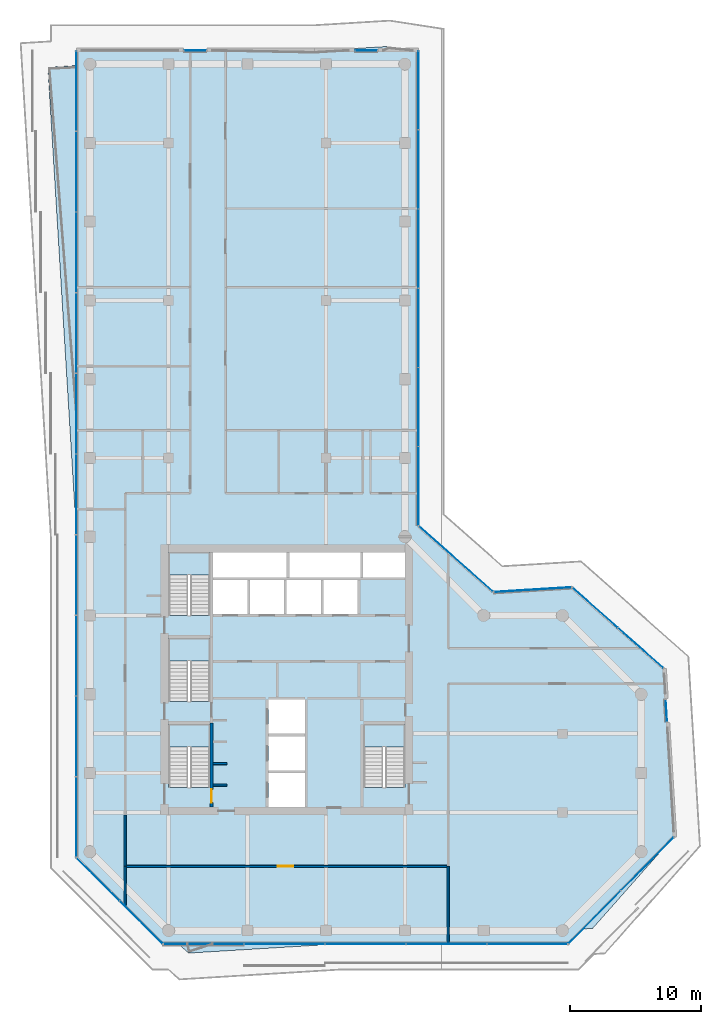
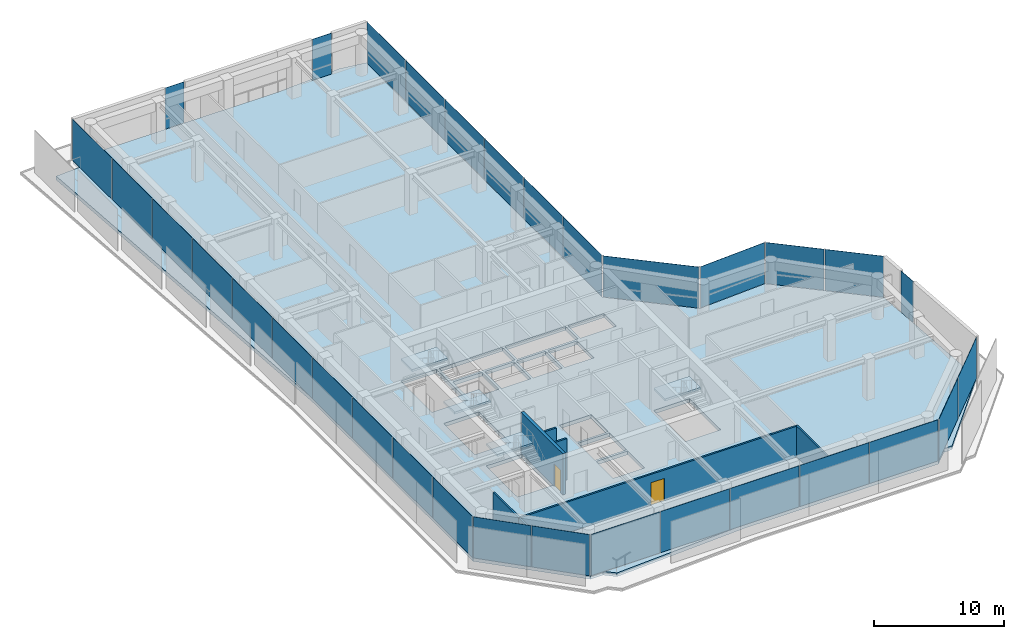
# One storey, part 16 of 21: 32 plates, 7 walls, 5 slabs, 2 doors, 2 openings, 15 elements without a shape of their own.
"""IFC4 building model written with IfcOpenShell, lengths in metres."""

from ifc_helpers import new_model, si_unit, direction, frame, frame_2d, origin, origin_2d, place, context, subcontext, project, spatial, polyline, rectangle, outline, extrude, material, layer, layer_set, type_object, element, fill, aggregate, save


model = new_model("IFC4")

# Units and contexts
model_context = context("Model", 3, precision=1e-05, world=origin(), true_north=direction((0.0, 1.0)))
body_context = subcontext(model_context, "Body", "Model", "MODEL_VIEW")
ifc_project = project(units=[si_unit("LENGTHUNIT", "METRE"), si_unit("AREAUNIT", "SQUARE_METRE"), si_unit("VOLUMEUNIT", "CUBIC_METRE"), si_unit("PLANEANGLEUNIT", "RADIAN"), si_unit("MASSUNIT", "GRAM", prefix="KILO")], contexts=[model_context])

# Site, building, storey
site_placement = place(None, origin())
site = spatial("IfcSite", under=ifc_project, at=site_placement, CompositionType="ELEMENT")
building_placement = place(site_placement, origin())
building = spatial("IfcBuilding", under=site, at=building_placement, Name="Welwitschia Terrace Campus", CompositionType="ELEMENT")
storey_placement = place(building_placement, frame((0.0, 0.0, 184.39990234375)))
storey = spatial("IfcBuildingStorey", under=building, at=storey_placement, Name="L41", CompositionType="ELEMENT", Elevation=184.39990234375)

# Curtain wall, plates
ifc_material_1 = material(Name="Bronze anodised aluminium", Category="aluminium")
ifc_layer_1 = layer(ifc_material_1, 0.1201171875)
ifc_layer_set_1 = layer_set([ifc_layer_1], Name="Bronze anodised aluminium")
curtain_wall_type = type_object("IfcCurtainWallType", Name="Curtain wall CW2 tower 6000", PredefinedType="NOTDEFINED", material=ifc_layer_set_1)
curtain_wall_1_placement = place(storey_placement, origin())
curtain_wall_1 = element("IfcCurtainWall", 1, at=curtain_wall_1_placement, inside=storey, type_object=curtain_wall_type, Name="CW L41.0.0", PredefinedType="NOTDEFINED")
ifc_material_2 = material(Name="Tinted bronze-grey glass", Category="glass")
ifc_layer_2 = layer(ifc_material_2, 0.028076171875)
ifc_layer_set_2 = layer_set([ifc_layer_2], Name="Tinted bronze-grey glass")
plate_type = type_object("IfcPlateType", Name="Glass panel 28 tinted", PredefinedType="CURTAIN_PANEL", material=ifc_layer_set_2)
plate_1_placement = place(storey_placement, frame((0.63134765625, -0.088134765625, 0.0), z_axis=(0.0, 0.0, 1.0), x_axis=(0.707106781187, -0.707106781187, 0.0)))
plate_1 = element("IfcPlate", 2, at=plate_1_placement, type_object=plate_type, Name="Panel L41.0.0.0", PredefinedType="CURTAIN_PANEL", context=body_context, shape_type="SweptSolid", body=[
    extrude(rectangle(XDim=4.579345703125, YDim=0.028076171875, at=origin_2d()), origin(), (0.0, 0.0, 1.0), 3.85009765625),
])
plate_2_placement = place(storey_placement, frame((3.911865234375, -3.36865234375, 0.0), z_axis=(0.0, 0.0, 1.0), x_axis=(0.707106781187, -0.707106781187, 0.0)))
plate_2 = element("IfcPlate", 3, at=plate_2_placement, type_object=plate_type, Name="Panel L41.0.0.1", PredefinedType="CURTAIN_PANEL", context=body_context, shape_type="SweptSolid", body=[
    extrude(rectangle(XDim=4.579345703125, YDim=0.028076171875, at=origin_2d()), origin(), (0.0, 0.0, 1.0), 3.85009765625),
])
aggregate(curtain_wall_1, [plate_1, plate_2])

curtain_wall_2_placement = place(storey_placement, origin())
curtain_wall_2 = element("IfcCurtainWall", 4, at=curtain_wall_2_placement, inside=storey, type_object=curtain_wall_type, Name="CW L41.1.0", PredefinedType="NOTDEFINED")
plate_3_placement = place(storey_placement, frame((8.673583984375, -5.030029296875, 0.0), z_axis=(0.0, 0.0, 1.0), x_axis=(1.0, 0.0, 0.0)))
plate_3 = element("IfcPlate", 5, at=plate_3_placement, type_object=plate_type, Name="Panel L41.1.0.0", PredefinedType="CURTAIN_PANEL", context=body_context, shape_type="SweptSolid", body=[
    extrude(rectangle(XDim=6.08056640625, YDim=0.028076171875, at=origin_2d()), origin(), (0.0, 0.0, 1.0), 3.85009765625),
])
plate_4_placement = place(storey_placement, frame((14.829345703125, -5.030029296875, 0.0), z_axis=(0.0, 0.0, 1.0), x_axis=(1.0, 0.0, 0.0)))
plate_4 = element("IfcPlate", 6, at=plate_4_placement, type_object=plate_type, Name="Panel L41.1.0.1", PredefinedType="CURTAIN_PANEL", context=body_context, shape_type="SweptSolid", body=[
    extrude(rectangle(XDim=6.110595703125, YDim=0.028076171875, at=origin_2d()), origin(), (0.0, 0.0, 1.0), 3.85009765625),
])
plate_5_placement = place(storey_placement, frame((21.0, -5.030029296875, 0.0), z_axis=(0.0, 0.0, 1.0), x_axis=(1.0, 0.0, 0.0)))
plate_5 = element("IfcPlate", 7, at=plate_5_placement, type_object=plate_type, Name="Panel L41.1.0.2", PredefinedType="CURTAIN_PANEL", context=body_context, shape_type="SweptSolid", body=[
    extrude(rectangle(XDim=6.110595703125, YDim=0.028076171875, at=origin_2d()), origin(), (0.0, 0.0, 1.0), 3.85009765625),
])
plate_6_placement = place(storey_placement, frame((27.170654296875, -5.030029296875, 0.0), z_axis=(0.0, 0.0, 1.0), x_axis=(1.0, 0.0, 0.0)))
plate_6 = element("IfcPlate", 8, at=plate_6_placement, type_object=plate_type, Name="Panel L41.1.0.3", PredefinedType="CURTAIN_PANEL", context=body_context, shape_type="SweptSolid", body=[
    extrude(rectangle(XDim=6.110595703125, YDim=0.028076171875, at=origin_2d()), origin(), (0.0, 0.0, 1.0), 3.85009765625),
])
plate_7_placement = place(storey_placement, frame((33.326416015625, -5.030029296875, 0.0), z_axis=(0.0, 0.0, 1.0), x_axis=(1.0, 0.0, 0.0)))
plate_7 = element("IfcPlate", 9, at=plate_7_placement, type_object=plate_type, Name="Panel L41.1.0.4", PredefinedType="CURTAIN_PANEL", context=body_context, shape_type="SweptSolid", body=[
    extrude(rectangle(XDim=6.08056640625, YDim=0.028076171875, at=origin_2d()), origin(), (0.0, 0.0, 1.0), 3.85009765625),
])
aggregate(curtain_wall_2, [plate_3, plate_4, plate_5, plate_6, plate_7])

curtain_wall_3_placement = place(storey_placement, origin())
curtain_wall_3 = element("IfcCurtainWall", 10, at=curtain_wall_3_placement, inside=storey, type_object=curtain_wall_type, Name="CW L41.2.0", PredefinedType="NOTDEFINED")
plate_8_placement = place(storey_placement, frame((38.4560546875, -2.978271484375, 0.0), z_axis=(0.0, 0.0, 1.0), x_axis=(0.703220040285, 0.710972274383, 0.0)))
plate_8 = element("IfcPlate", 11, at=plate_8_placement, type_object=plate_type, Name="Panel L41.2.0.0", PredefinedType="CURTAIN_PANEL", context=body_context, shape_type="SweptSolid", body=[
    extrude(rectangle(XDim=5.65185546875, YDim=0.028076171875, at=origin_2d()), origin(), (0.0, 0.0, 1.0), 3.85009765625),
])
plate_9_placement = place(storey_placement, frame((42.472900390625, 1.082763671875, 0.0), z_axis=(0.0, 0.0, 1.0), x_axis=(0.703220040285, 0.710972274383, 0.0)))
plate_9 = element("IfcPlate", 12, at=plate_9_placement, type_object=plate_type, Name="Panel L41.2.0.1", PredefinedType="CURTAIN_PANEL", context=body_context, shape_type="SweptSolid", body=[
    extrude(rectangle(XDim=5.65185546875, YDim=0.028076171875, at=origin_2d()), origin(), (0.0, 0.0, 1.0), 3.85009765625),
])
aggregate(curtain_wall_3, [plate_8, plate_9])

# Curtain wall, plate
curtain_wall_4_placement = place(storey_placement, origin())
curtain_wall_4 = element("IfcCurtainWall", 13, at=curtain_wall_4_placement, inside=storey, type_object=curtain_wall_type, Name="CW L41.3.S0", PredefinedType="NOTDEFINED")
plate_10_placement = place(storey_placement, frame((43.913818359375, 12.756591796875, 0.0), z_axis=(0.0, 0.0, 1.0), x_axis=(-0.061048539535, 0.998134798422, 0.0)))
plate_10 = element("IfcPlate", 14, at=plate_10_placement, type_object=plate_type, Name="Panel L41.3.S0.0", PredefinedType="CURTAIN_PANEL", context=body_context, shape_type="SweptSolid", body=[
    extrude(rectangle(XDim=1.679931640625, YDim=0.028076171875, at=origin_2d()), origin(), (0.0, 0.0, 1.0), 3.85009765625),
])
aggregate(curtain_wall_4, [plate_10])

# Curtain wall, plates
curtain_wall_5_placement = place(storey_placement, origin())
curtain_wall_5 = element("IfcCurtainWall", 15, at=curtain_wall_5_placement, inside=storey, type_object=curtain_wall_type, Name="CW L41.4.0", PredefinedType="NOTDEFINED")
plate_11_placement = place(storey_placement, frame((41.9580078125, 17.52099609375, 0.0), z_axis=(0.0, 0.0, 1.0), x_axis=(-0.748955720789, 0.662620048216, 0.0)))
plate_11 = element("IfcPlate", 16, at=plate_11_placement, type_object=plate_type, Name="Panel L41.4.0.0", PredefinedType="CURTAIN_PANEL", context=body_context, shape_type="SweptSolid", body=[
    extrude(rectangle(XDim=4.579345703125, YDim=0.028076171875, at=origin_2d()), origin(), (0.0, 0.0, 1.0), 3.85009765625),
])
plate_12_placement = place(storey_placement, frame((38.4833984375, 20.594970703125, 0.0), z_axis=(0.0, 0.0, 1.0), x_axis=(-0.748955720789, 0.662620048216, 0.0)))
plate_12 = element("IfcPlate", 17, at=plate_12_placement, type_object=plate_type, Name="Panel L41.4.0.1", PredefinedType="CURTAIN_PANEL", context=body_context, shape_type="SweptSolid", body=[
    extrude(rectangle(XDim=4.579345703125, YDim=0.028076171875, at=origin_2d()), origin(), (0.0, 0.0, 1.0), 3.85009765625),
])
aggregate(curtain_wall_5, [plate_11, plate_12])

# Curtain wall, plate
curtain_wall_6_placement = place(storey_placement, origin())
curtain_wall_6 = element("IfcCurtainWall", 18, at=curtain_wall_6_placement, inside=storey, type_object=curtain_wall_type, Name="CW L41.5.0", PredefinedType="NOTDEFINED")
plate_13_placement = place(storey_placement, frame((33.72900390625, 21.96875, 0.0), z_axis=(0.0, 0.0, 1.0), x_axis=(-0.998134798422, -0.061048539535, 0.0)))
plate_13 = element("IfcPlate", 19, at=plate_13_placement, type_object=plate_type, Name="Panel L41.5.0.0", PredefinedType="CURTAIN_PANEL", context=body_context, shape_type="SweptSolid", body=[
    extrude(rectangle(XDim=5.8798828125, YDim=0.028076171875, at=origin_2d()), origin(), (0.0, 0.0, 1.0), 3.85009765625),
])
aggregate(curtain_wall_6, [plate_13])

curtain_wall_7_placement = place(storey_placement, origin())
curtain_wall_7 = element("IfcCurtainWall", 20, at=curtain_wall_7_placement, inside=storey, type_object=curtain_wall_type, Name="CW L41.6.0", PredefinedType="NOTDEFINED")
plate_14_placement = place(storey_placement, frame((27.88232421875, 24.309326171875, 0.0), z_axis=(0.0, 0.0, 1.0), x_axis=(-0.748955720789, 0.662620048216, 0.0)))
plate_14 = element("IfcPlate", 21, at=plate_14_placement, type_object=plate_type, Name="Panel L41.6.0.0", PredefinedType="CURTAIN_PANEL", context=body_context, shape_type="SweptSolid", body=[
    extrude(rectangle(XDim=7.496826171875, YDim=0.028076171875, at=origin_2d()), origin(), (0.0, 0.0, 1.0), 3.85009765625),
])
aggregate(curtain_wall_7, [plate_14])

# Curtain wall, plates
curtain_wall_8_placement = place(storey_placement, origin())
curtain_wall_8 = element("IfcCurtainWall", 22, at=curtain_wall_8_placement, inside=storey, type_object=curtain_wall_type, Name="CW L41.7.0", PredefinedType="NOTDEFINED")
plate_15_placement = place(storey_placement, frame((25.030029296875, 29.86376953125, 0.0), z_axis=(0.0, 0.0, 1.0), x_axis=(0.0, 1.0, 0.0)))
plate_15 = element("IfcPlate", 23, at=plate_15_placement, type_object=plate_type, Name="Panel L41.7.0.0", PredefinedType="CURTAIN_PANEL", context=body_context, shape_type="SweptSolid", body=[
    extrude(rectangle(XDim=5.942138671875, YDim=0.028076171875, at=origin_2d()), origin(), (0.0, 0.0, 1.0), 3.85009765625),
])
plate_16_placement = place(storey_placement, frame((25.030029296875, 35.881103515625, 0.0), z_axis=(0.0, 0.0, 1.0), x_axis=(0.0, 1.0, 0.0)))
plate_16 = element("IfcPlate", 24, at=plate_16_placement, type_object=plate_type, Name="Panel L41.7.0.1", PredefinedType="CURTAIN_PANEL", context=body_context, shape_type="SweptSolid", body=[
    extrude(rectangle(XDim=5.97216796875, YDim=0.028076171875, at=origin_2d()), origin(), (0.0, 0.0, 1.0), 3.85009765625),
])
plate_17_placement = place(storey_placement, frame((25.030029296875, 41.9130859375, 0.0), z_axis=(0.0, 0.0, 1.0), x_axis=(0.0, 1.0, 0.0)))
plate_17 = element("IfcPlate", 25, at=plate_17_placement, type_object=plate_type, Name="Panel L41.7.0.2", PredefinedType="CURTAIN_PANEL", context=body_context, shape_type="SweptSolid", body=[
    extrude(rectangle(XDim=5.97216796875, YDim=0.028076171875, at=origin_2d()), origin(), (0.0, 0.0, 1.0), 3.85009765625),
])
plate_18_placement = place(storey_placement, frame((25.030029296875, 47.9453125, 0.0), z_axis=(0.0, 0.0, 1.0), x_axis=(0.0, 1.0, 0.0)))
plate_18 = element("IfcPlate", 26, at=plate_18_placement, type_object=plate_type, Name="Panel L41.7.0.3", PredefinedType="CURTAIN_PANEL", context=body_context, shape_type="SweptSolid", body=[
    extrude(rectangle(XDim=5.97216796875, YDim=0.028076171875, at=origin_2d()), origin(), (0.0, 0.0, 1.0), 3.85009765625),
])
plate_19_placement = place(storey_placement, frame((25.030029296875, 53.9775390625, 0.0), z_axis=(0.0, 0.0, 1.0), x_axis=(0.0, 1.0, 0.0)))
plate_19 = element("IfcPlate", 27, at=plate_19_placement, type_object=plate_type, Name="Panel L41.7.0.4", PredefinedType="CURTAIN_PANEL", context=body_context, shape_type="SweptSolid", body=[
    extrude(rectangle(XDim=5.97216796875, YDim=0.028076171875, at=origin_2d()), origin(), (0.0, 0.0, 1.0), 3.85009765625),
])
plate_20_placement = place(storey_placement, frame((25.030029296875, 59.99462890625, 0.0), z_axis=(0.0, 0.0, 1.0), x_axis=(0.0, 1.0, 0.0)))
plate_20 = element("IfcPlate", 28, at=plate_20_placement, type_object=plate_type, Name="Panel L41.7.0.5", PredefinedType="CURTAIN_PANEL", context=body_context, shape_type="SweptSolid", body=[
    extrude(rectangle(XDim=5.942138671875, YDim=0.028076171875, at=origin_2d()), origin(), (0.0, 0.0, 1.0), 3.85009765625),
])
aggregate(curtain_wall_8, [plate_15, plate_16, plate_17, plate_18, plate_19, plate_20])

# Curtain wall, plate
curtain_wall_9_placement = place(storey_placement, origin())
curtain_wall_9 = element("IfcCurtainWall", 29, at=curtain_wall_9_placement, inside=storey, type_object=curtain_wall_type, Name="CW L41.8.S0", PredefinedType="NOTDEFINED")
plate_21_placement = place(storey_placement, frame((21.063232421875, 63.02783203125, 0.0), z_axis=(0.0, 0.0, 1.0), x_axis=(-0.999999855012, 0.000538494419, 0.0)))
plate_21 = element("IfcPlate", 30, at=plate_21_placement, type_object=plate_type, Name="Panel L41.8.S0.0", PredefinedType="CURTAIN_PANEL", context=body_context, shape_type="SweptSolid", body=[
    extrude(rectangle(XDim=1.679931640625, YDim=0.028076171875, at=origin_2d()), origin(), (0.0, 0.0, 1.0), 3.85009765625),
])
aggregate(curtain_wall_9, [plate_21])

curtain_wall_10_placement = place(storey_placement, origin())
curtain_wall_10 = element("IfcCurtainWall", 31, at=curtain_wall_10_placement, inside=storey, type_object=curtain_wall_type, Name="CW L41.9.S0", PredefinedType="NOTDEFINED")
plate_22_placement = place(storey_placement, frame((8.033203125, 63.030029296875, 0.0), z_axis=(0.0, 0.0, 1.0), x_axis=(-1.0, 0.0, 0.0)))
plate_22 = element("IfcPlate", 32, at=plate_22_placement, type_object=plate_type, Name="Panel L41.9.S0.0", PredefinedType="CURTAIN_PANEL", context=body_context, shape_type="SweptSolid", body=[
    extrude(rectangle(XDim=1.679931640625, YDim=0.028076171875, at=origin_2d()), origin(), (0.0, 0.0, 1.0), 3.85009765625),
])
aggregate(curtain_wall_10, [plate_22])

# Curtain wall, plates
curtain_wall_11_placement = place(storey_placement, origin())
curtain_wall_11 = element("IfcCurtainWall", 33, at=curtain_wall_11_placement, inside=storey, type_object=curtain_wall_type, Name="CW L41.10.0", PredefinedType="NOTDEFINED")
plate_23_placement = place(storey_placement, frame((-1.030029296875, 59.942138671875, 0.0), z_axis=(0.0, 0.0, 1.0), x_axis=(0.0, -1.0, 0.0)))
plate_23 = element("IfcPlate", 34, at=plate_23_placement, type_object=plate_type, Name="Panel L41.10.0.0", PredefinedType="CURTAIN_PANEL", context=body_context, shape_type="SweptSolid", body=[
    extrude(rectangle(XDim=6.0556640625, YDim=0.028076171875, at=origin_2d()), origin(), (0.0, 0.0, 1.0), 3.85009765625),
])
plate_24_placement = place(storey_placement, frame((-1.030029296875, 53.8115234375, 0.0), z_axis=(0.0, 0.0, 1.0), x_axis=(0.0, -1.0, 0.0)))
plate_24 = element("IfcPlate", 35, at=plate_24_placement, type_object=plate_type, Name="Panel L41.10.0.1", PredefinedType="CURTAIN_PANEL", context=body_context, shape_type="SweptSolid", body=[
    extrude(rectangle(XDim=6.085693359375, YDim=0.028076171875, at=origin_2d()), origin(), (0.0, 0.0, 1.0), 3.85009765625),
])
plate_25_placement = place(storey_placement, frame((-1.030029296875, 47.665771484375, 0.0), z_axis=(0.0, 0.0, 1.0), x_axis=(0.0, -1.0, 0.0)))
plate_25 = element("IfcPlate", 36, at=plate_25_placement, type_object=plate_type, Name="Panel L41.10.0.2", PredefinedType="CURTAIN_PANEL", context=body_context, shape_type="SweptSolid", body=[
    extrude(rectangle(XDim=6.085693359375, YDim=0.028076171875, at=origin_2d()), origin(), (0.0, 0.0, 1.0), 3.85009765625),
])
plate_26_placement = place(storey_placement, frame((-1.030029296875, 41.520263671875, 0.0), z_axis=(0.0, 0.0, 1.0), x_axis=(0.0, -1.0, 0.0)))
plate_26 = element("IfcPlate", 37, at=plate_26_placement, type_object=plate_type, Name="Panel L41.10.0.3", PredefinedType="CURTAIN_PANEL", context=body_context, shape_type="SweptSolid", body=[
    extrude(rectangle(XDim=6.085693359375, YDim=0.028076171875, at=origin_2d()), origin(), (0.0, 0.0, 1.0), 3.85009765625),
])
plate_27_placement = place(storey_placement, frame((-1.030029296875, 35.37451171875, 0.0), z_axis=(0.0, 0.0, 1.0), x_axis=(0.0, -1.0, 0.0)))
plate_27 = element("IfcPlate", 38, at=plate_27_placement, type_object=plate_type, Name="Panel L41.10.0.4", PredefinedType="CURTAIN_PANEL", context=body_context, shape_type="SweptSolid", body=[
    extrude(rectangle(XDim=6.085693359375, YDim=0.028076171875, at=origin_2d()), origin(), (0.0, 0.0, 1.0), 3.85009765625),
])
plate_28_placement = place(storey_placement, frame((-1.030029296875, 29.228759765625, 0.0), z_axis=(0.0, 0.0, 1.0), x_axis=(0.0, -1.0, 0.0)))
plate_28 = element("IfcPlate", 39, at=plate_28_placement, type_object=plate_type, Name="Panel L41.10.0.5", PredefinedType="CURTAIN_PANEL", context=body_context, shape_type="SweptSolid", body=[
    extrude(rectangle(XDim=6.085693359375, YDim=0.028076171875, at=origin_2d()), origin(), (0.0, 0.0, 1.0), 3.85009765625),
])
plate_29_placement = place(storey_placement, frame((-1.030029296875, 23.083251953125, 0.0), z_axis=(0.0, 0.0, 1.0), x_axis=(0.0, -1.0, 0.0)))
plate_29 = element("IfcPlate", 40, at=plate_29_placement, type_object=plate_type, Name="Panel L41.10.0.6", PredefinedType="CURTAIN_PANEL", context=body_context, shape_type="SweptSolid", body=[
    extrude(rectangle(XDim=6.085693359375, YDim=0.028076171875, at=origin_2d()), origin(), (0.0, 0.0, 1.0), 3.85009765625),
])
plate_30_placement = place(storey_placement, frame((-1.030029296875, 16.9375, 0.0), z_axis=(0.0, 0.0, 1.0), x_axis=(0.0, -1.0, 0.0)))
plate_30 = element("IfcPlate", 41, at=plate_30_placement, type_object=plate_type, Name="Panel L41.10.0.7", PredefinedType="CURTAIN_PANEL", context=body_context, shape_type="SweptSolid", body=[
    extrude(rectangle(XDim=6.085693359375, YDim=0.028076171875, at=origin_2d()), origin(), (0.0, 0.0, 1.0), 3.85009765625),
])
plate_31_placement = place(storey_placement, frame((-1.030029296875, 10.791748046875, 0.0), z_axis=(0.0, 0.0, 1.0), x_axis=(0.0, -1.0, 0.0)))
plate_31 = element("IfcPlate", 42, at=plate_31_placement, type_object=plate_type, Name="Panel L41.10.0.8", PredefinedType="CURTAIN_PANEL", context=body_context, shape_type="SweptSolid", body=[
    extrude(rectangle(XDim=6.085693359375, YDim=0.028076171875, at=origin_2d()), origin(), (0.0, 0.0, 1.0), 3.85009765625),
])
plate_32_placement = place(storey_placement, frame((-1.030029296875, 4.6611328125, 0.0), z_axis=(0.0, 0.0, 1.0), x_axis=(0.0, -1.0, 0.0)))
plate_32 = element("IfcPlate", 43, at=plate_32_placement, type_object=plate_type, Name="Panel L41.10.0.9", PredefinedType="CURTAIN_PANEL", context=body_context, shape_type="SweptSolid", body=[
    extrude(rectangle(XDim=6.0556640625, YDim=0.028076171875, at=origin_2d()), origin(), (0.0, 0.0, 1.0), 3.85009765625),
])
aggregate(curtain_wall_11, [plate_23, plate_24, plate_25, plate_26, plate_27, plate_28, plate_29, plate_30, plate_31, plate_32])

# Stair, slab
ifc_material_3 = material(Name="Concrete C40/50", Category="concrete")
stair_type = type_object("IfcStairType", Name="Stair 24R 175 W1500", PredefinedType="HALF_TURN_STAIR", material=ifc_material_3)
stair_1_placement = place(storey_placement, origin())
stair_1 = element("IfcStair", 44, at=stair_1_placement, inside=storey, type_object=stair_type, Name="L41 Exit stair S1", PredefinedType="HALF_TURN_STAIR")
ifc_material_4 = material(Name="Concrete C40/50", Category="concrete")
ifc_layer_3 = layer(ifc_material_4, 0.199951171875)
ifc_layer_set_3 = layer_set([ifc_layer_3], Name="Concrete C40/50")
slab_type_1 = type_object("IfcSlabType", Name="Stair landing RC", PredefinedType="LANDING", material=ifc_layer_set_3)
slab_1_placement = place(storey_placement, frame((0.0, 0.0, 1.900146484375)))
slab_1 = element("IfcSlab", 45, at=slab_1_placement, type_object=slab_type_1, Name="S1 landing 1", PredefinedType="LANDING", context=body_context, shape_type="SweptSolid", body=[
    extrude(outline(polyline([(9.14990234375, 9.97998046875), (9.14990234375, 11.699951171875), (6.0, 11.699951171875), (6.0, 9.97998046875), (9.14990234375, 9.97998046875)])), origin(), (0.0, 0.0, 1.0), 0.199951171875),
])
aggregate(stair_1, [slab_1])

stair_2_placement = place(storey_placement, origin())
stair_2 = element("IfcStair", 46, at=stair_2_placement, inside=storey, type_object=stair_type, Name="L41 Exit stair S3", PredefinedType="HALF_TURN_STAIR")
slab_2_placement = place(storey_placement, frame((0.0, 0.0, 1.900146484375)))
slab_2 = element("IfcSlab", 47, at=slab_2_placement, type_object=slab_type_1, Name="S3 landing 1", PredefinedType="LANDING", context=body_context, shape_type="SweptSolid", body=[
    extrude(outline(polyline([(9.14990234375, 16.530029296875), (9.14990234375, 18.25), (6.0, 18.25), (6.0, 16.530029296875), (9.14990234375, 16.530029296875)])), origin(), (0.0, 0.0, 1.0), 0.199951171875),
])
aggregate(stair_2, [slab_2])

stair_3_placement = place(storey_placement, origin())
stair_3 = element("IfcStair", 48, at=stair_3_placement, inside=storey, type_object=stair_type, Name="L41 Exit stair S4", PredefinedType="HALF_TURN_STAIR")
slab_3_placement = place(storey_placement, frame((0.0, 0.0, 1.900146484375)))
slab_3 = element("IfcSlab", 49, at=slab_3_placement, type_object=slab_type_1, Name="S4 landing 1", PredefinedType="LANDING", context=body_context, shape_type="SweptSolid", body=[
    extrude(outline(polyline([(9.14990234375, 23.080078125), (9.14990234375, 24.800048828125), (6.0, 24.800048828125), (6.0, 23.080078125), (9.14990234375, 23.080078125)])), origin(), (0.0, 0.0, 1.0), 0.199951171875),
])
aggregate(stair_3, [slab_3])

stair_4_placement = place(storey_placement, origin())
stair_4 = element("IfcStair", 50, at=stair_4_placement, inside=storey, type_object=stair_type, Name="L41 Exit stair S2", PredefinedType="HALF_TURN_STAIR")
slab_4_placement = place(storey_placement, frame((0.0, 0.0, 1.900146484375)))
slab_4 = element("IfcSlab", 51, at=slab_4_placement, type_object=slab_type_1, Name="S2 landing 1", PredefinedType="LANDING", context=body_context, shape_type="SweptSolid", body=[
    extrude(outline(polyline([(24.0, 9.97998046875), (24.0, 11.699951171875), (20.85009765625, 11.699951171875), (20.85009765625, 9.97998046875), (24.0, 9.97998046875)])), origin(), (0.0, 0.0, 1.0), 0.199951171875),
])
aggregate(stair_4, [slab_4])

# Slab
ifc_material_5 = material(Name="Concrete C40/50", Category="concrete")
ifc_layer_4 = layer(ifc_material_5, 0.35009765625)
ifc_layer_set_4 = layer_set([ifc_layer_4], Name="Concrete C40/50")
slab_type_2 = type_object("IfcSlabType", Name="Suspended floor slab 350", PredefinedType="FLOOR", material=ifc_layer_set_4)
slab_5_placement = place(storey_placement, frame((0.0, 0.0, -0.349853515625)))
element("IfcSlab", 52, at=slab_5_placement, inside=storey, type_object=slab_type_2, Name="Floor slab L41", PredefinedType="FLOOR", context=body_context, shape_type="SweptSolid", body=[
    extrude(outline(polyline([(-1.0, 61.89306640625), (-1.0, 63.0), (17.097412109375, 63.0), (22.755859375, 63.34619140625), (25.0, 63.0), (25.0, 26.8193359375), (30.72412109375, 21.7548828125), (36.712890625, 22.121337890625), (43.6884765625, 15.94970703125), (44.4716796875, 3.145263671875), (38.30029296875, -3.830322265625), (37.537353515625, -3.876953125), (36.414306640625, -5.0), (19.175048828125, -5.0), (7.529296875, -5.71240234375), (6.72412109375, -5.0), (5.585693359375, -5.0), (-1.0, 1.585693359375), (-1.0, 25.862060546875), (-3.195556640625, 61.7587890625), (-1.0, 61.89306640625)]), holes=[polyline([(13.60009765625, 8.0), (13.60009765625, 5.39990234375), (16.39990234375, 5.39990234375), (16.39990234375, 8.0), (13.60009765625, 8.0)]), polyline([(9.14990234375, 11.699951171875), (6.0, 11.699951171875), (6.0, 6.902099609375), (9.14990234375, 6.902099609375), (9.14990234375, 11.699951171875)]), polyline([(9.14990234375, 18.25), (6.0, 18.25), (6.0, 13.451904296875), (9.14990234375, 13.451904296875), (9.14990234375, 18.25)]), polyline([(12.0, 22.699951171875), (9.39990234375, 22.699951171875), (9.39990234375, 20.10009765625), (12.0, 20.10009765625), (12.0, 22.699951171875)]), polyline([(14.800048828125, 22.699951171875), (12.199951171875, 22.699951171875), (12.199951171875, 20.10009765625), (14.800048828125, 20.10009765625), (14.800048828125, 22.699951171875)]), polyline([(9.14990234375, 24.800048828125), (6.0, 24.800048828125), (6.0, 20.001953125), (9.14990234375, 20.001953125), (9.14990234375, 24.800048828125)]), polyline([(15.0, 24.800048828125), (9.39990234375, 24.800048828125), (9.39990234375, 22.89990234375), (15.0, 22.89990234375), (15.0, 24.800048828125)]), polyline([(20.85009765625, 11.699951171875), (20.85009765625, 6.902099609375), (24.0, 6.902099609375), (24.0, 11.699951171875), (20.85009765625, 11.699951171875)]), polyline([(16.39990234375, 10.800048828125), (13.60009765625, 10.800048828125), (13.60009765625, 8.199951171875), (16.39990234375, 8.199951171875), (16.39990234375, 10.800048828125)]), polyline([(16.39990234375, 13.60009765625), (13.60009765625, 13.60009765625), (13.60009765625, 11.0), (16.39990234375, 11.0), (16.39990234375, 13.60009765625)]), polyline([(17.60009765625, 22.699951171875), (15.0, 22.699951171875), (15.0, 20.10009765625), (17.60009765625, 20.10009765625), (17.60009765625, 22.699951171875)]), polyline([(20.39990234375, 22.699951171875), (17.800048828125, 22.699951171875), (17.800048828125, 20.10009765625), (20.39990234375, 20.10009765625), (20.39990234375, 22.699951171875)]), polyline([(20.60009765625, 24.800048828125), (15.199951171875, 24.800048828125), (15.199951171875, 22.89990234375), (20.60009765625, 22.89990234375), (20.60009765625, 24.800048828125)]), polyline([(24.0, 24.800048828125), (20.800048828125, 24.800048828125), (20.800048828125, 22.89990234375), (24.0, 22.89990234375), (24.0, 24.800048828125)])]), origin(), (0.0, 0.0, 1.0), 0.349853515625),
])

# Walls
ifc_material_6 = material(Name="Concrete C50/60", Category="concrete")
ifc_layer_5 = layer(ifc_material_6, 0.14990234375)
ifc_layer_set_5 = layer_set([ifc_layer_5], Name="Concrete C50/60")
wall_type_1 = type_object("IfcWallType", Name="Core wall 150 Concrete C50/60", PredefinedType="SHEAR", material=ifc_layer_set_5)
for number, where, z_axis, x_axis, name in (
    (53, (9.39990234375, 7.074951171875, 0.0), (0.0, 0.0, 1.0), (1.0, 0.0, 0.0), "Core wall"),
    (54, (9.39990234375, 8.72509765625, 0.0), (0.0, 0.0, 1.0), (1.0, 0.0, 0.0), "Core wall"),
):
    element("IfcWall", number, at=place(storey_placement, frame(where, z_axis=z_axis, x_axis=x_axis)), inside=storey, type_object=wall_type_1, Name=name, PredefinedType="SHEAR", context=body_context, shape_type="SweptSolid", body=[
        extrude(rectangle(XDim=1.050048828125, YDim=0.14990234375, at=frame_2d((0.52490234375, 0.0))), origin(), (0.0, 0.0, 1.0), 3.85009765625),
    ])

# Wall, opening, door
ifc_material_7 = material(Name="Concrete C50/60", Category="concrete")
ifc_layer_6 = layer(ifc_material_7, 0.25)
ifc_layer_set_6 = layer_set([ifc_layer_6], Name="Concrete C50/60")
wall_type_2 = type_object("IfcWallType", Name="Core wall 250 Concrete C50/60", PredefinedType="SHEAR", material=ifc_layer_set_6)
wall_1_placement = place(storey_placement, frame((9.27490234375, 11.824951171875, 0.0), z_axis=(0.0, 0.0, 1.0), x_axis=(0.0, -1.0, 0.0)))
wall_1 = element("IfcWall", 55, at=wall_1_placement, inside=storey, type_object=wall_type_2, Name="Core wall", PredefinedType="SHEAR", context=body_context, shape_type="SweptSolid", body=[
    extrude(rectangle(XDim=6.425048828125, YDim=0.25, at=frame_2d((3.21240234375, 0.0))), origin(), (0.0, 0.0, 1.0), 3.85009765625),
])
opening_1_placement = place(wall_1_placement, frame((5.074951171875, 0.0, 0.0)))
opening_1 = element("IfcOpeningElement", 56, at=opening_1_placement, cuts=wall_1, Name="Opening DS10", PredefinedType="OPENING", context=body_context, shape_type="SweptSolid", body=[
    extrude(rectangle(XDim=1.0, YDim=2.10009765625, at=frame_2d((0.5, 1.050048828125))), frame((0.0, 0.135009765625, 0.0), z_axis=(0.0, -1.0, 0.0), x_axis=(1.0, 0.0, 0.0)), (0.0, 0.0, 1.0), 0.27001953125),
])
ifc_material_8 = material(Name="Steel S275", Category="steel")
door_type_1 = type_object("IfcDoorType", Name="Core door DS10", OperationType="SINGLE_SWING_LEFT", PredefinedType="DOOR", material=ifc_material_8)
door_1_placement = place(opening_1_placement, origin())
door_1 = element("IfcDoor", 57, at=door_1_placement, inside=storey, type_object=door_type_1, Name="Door S1-FL", OperationType="SINGLE_SWING_RIGHT", OverallHeight=2.10009765625, OverallWidth=1.0, PredefinedType="DOOR", context=body_context, shape_type="SweptSolid", body=[
    extrude(rectangle(XDim=1.0, YDim=2.10009765625, at=frame_2d((0.5, 1.050048828125))), frame((0.0, 0.02490234375, 0.0), z_axis=(0.0, -1.0, 0.0), x_axis=(1.0, 0.0, 0.0)), (0.0, 0.0, 1.0), 0.050048828125),
])
fill(opening_1, door_1)

# Walls
ifc_material_9 = material(Name="Gypsum board on steel studs", Category="steel")
ifc_layer_7 = layer(ifc_material_9, 0.14990234375)
ifc_layer_set_7 = layer_set([ifc_layer_7], Name="Gypsum board on steel studs")
wall_type_3 = type_object("IfcWallType", Name="Corridor partition 150 EI 30", PredefinedType="PARTITIONING", material=ifc_layer_set_7)
wall_2_placement = place(storey_placement, frame((2.699951171875, -2.07177734375, 0.0), z_axis=(0.0, 0.0, 1.0), x_axis=(0.0, 1.0, 0.0)))
element("IfcWall", 58, at=wall_2_placement, inside=storey, type_object=wall_type_3, Name="Partition", PredefinedType="PARTITIONING", context=body_context, shape_type="SweptSolid", body=[
    extrude(rectangle(XDim=2.9716796875, YDim=0.14990234375, at=frame_2d((1.48583984375, 0.0))), origin(), (0.0, 0.0, 1.0), 2.880126953125),
])
wall_3_placement = place(storey_placement, frame((2.699951171875, 0.89990234375, 0.0), z_axis=(0.0, 0.0, 1.0), x_axis=(0.0, 1.0, 0.0)))
element("IfcWall", 59, at=wall_3_placement, inside=storey, type_object=wall_type_3, Name="Partition", PredefinedType="PARTITIONING", context=body_context, shape_type="SweptSolid", body=[
    extrude(rectangle(XDim=3.900146484375, YDim=0.14990234375, at=frame_2d((1.9501953125, 0.0))), origin(), (0.0, 0.0, 1.0), 2.880126953125),
])
wall_4_placement = place(storey_placement, frame((27.300048828125, -4.97998046875, 0.0), z_axis=(0.0, 0.0, 1.0), x_axis=(0.0, 1.0, 0.0)))
element("IfcWall", 60, at=wall_4_placement, inside=storey, type_object=wall_type_3, Name="Partition", PredefinedType="PARTITIONING", context=body_context, shape_type="SweptSolid", body=[
    extrude(rectangle(XDim=5.8798828125, YDim=0.14990234375, at=frame_2d((2.93994140625, 0.0))), origin(), (0.0, 0.0, 1.0), 2.880126953125),
])

# Wall, opening, door
wall_5_placement = place(storey_placement, frame((27.300048828125, 0.89990234375, 0.0), z_axis=(0.0, 0.0, 1.0), x_axis=(-1.0, 0.0, 0.0)))
wall_5 = element("IfcWall", 61, at=wall_5_placement, inside=storey, type_object=wall_type_3, Name="Partition", PredefinedType="PARTITIONING", context=body_context, shape_type="SweptSolid", body=[
    extrude(rectangle(XDim=24.60009765625, YDim=0.14990234375, at=frame_2d((12.300048828125, 0.0))), origin(), (0.0, 0.0, 1.0), 2.880126953125),
])
opening_2_placement = place(wall_5_placement, frame((11.800048828125, 0.0, 0.0)))
opening_2 = element("IfcOpeningElement", 62, at=opening_2_placement, cuts=wall_5, Name="Opening DI12", PredefinedType="OPENING", context=body_context, shape_type="SweptSolid", body=[
    extrude(rectangle(XDim=1.199951171875, YDim=2.10009765625, at=frame_2d((0.60009765625, 1.050048828125))), frame((0.0, 0.0849609375, 0.0), z_axis=(0.0, -1.0, 0.0), x_axis=(1.0, 0.0, 0.0)), (0.0, 0.0, 1.0), 0.169921875),
])
ifc_material_10 = material(Name="Timber veneered door", Category="wood")
door_type_2 = type_object("IfcDoorType", Name="Interior door DI12", OperationType="NOTDEFINED", PredefinedType="DOOR", material=ifc_material_10)
door_2_placement = place(opening_2_placement, origin())
door_2 = element("IfcDoor", 63, at=door_2_placement, inside=storey, type_object=door_type_2, Name="Door L41 820", OperationType="SINGLE_SWING_LEFT", OverallHeight=2.10009765625, OverallWidth=1.199951171875, PredefinedType="DOOR", context=body_context, shape_type="SweptSolid", body=[
    extrude(rectangle(XDim=1.199951171875, YDim=2.10009765625, at=frame_2d((0.60009765625, 1.050048828125))), frame((0.0, 0.02490234375, 0.0), z_axis=(0.0, -1.0, 0.0), x_axis=(1.0, 0.0, 0.0)), (0.0, 0.0, 1.0), 0.050048828125),
])
fill(opening_2, door_2)

save(model, "model.ifc")
